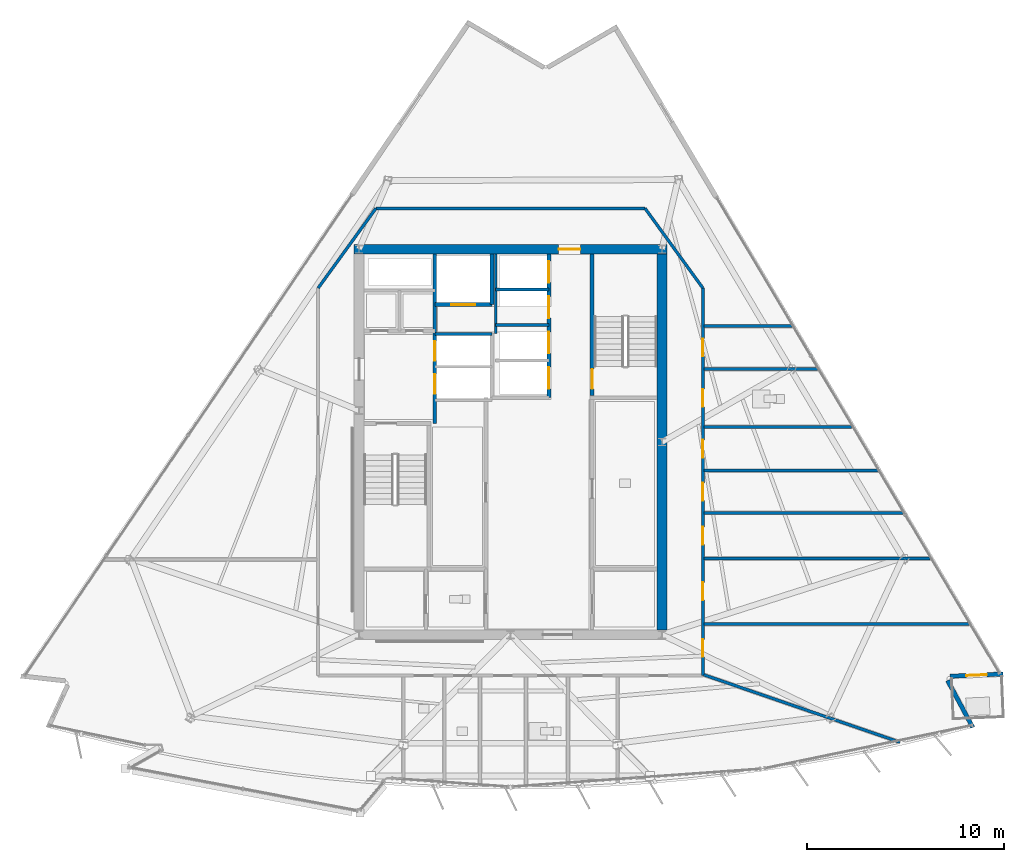
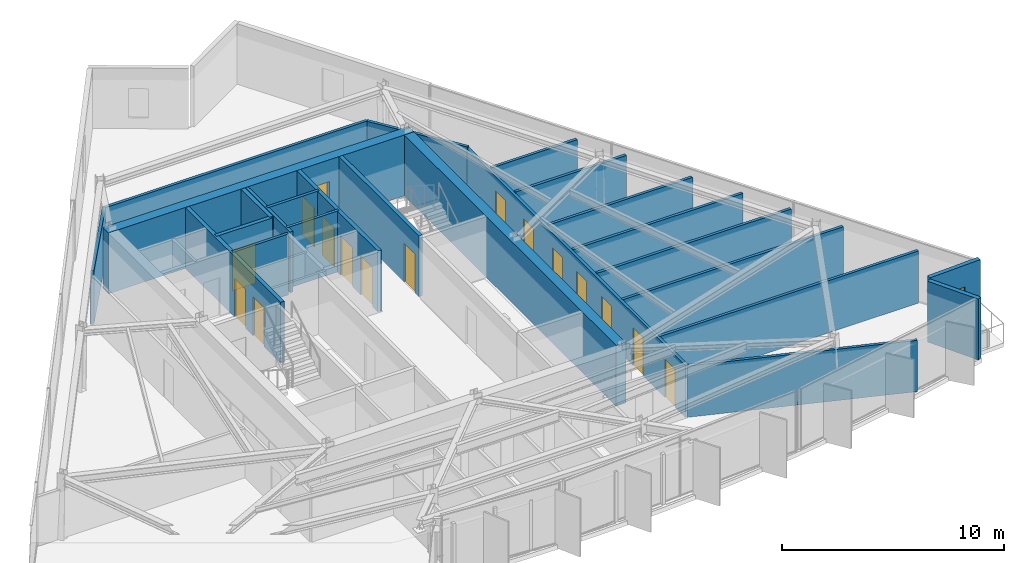
# One storey, part 8 of 14: 25 walls, 17 doors, 17 openings.
"""IFC4 building model written with IfcOpenShell, lengths in metres."""

from ifc_helpers import new_model, si_unit, direction, frame, frame_2d, origin, place, context, subcontext, project, spatial, rectangle, extrude, material, layer, layer_set, type_object, element, fill, save


model = new_model("IFC4")

# Units and contexts
model_context = context("Model", 3, precision=1e-05, world=origin(), true_north=direction((0.0, 1.0)))
body_context = subcontext(model_context, "Body", "Model", "MODEL_VIEW")
ifc_project = project(units=[si_unit("LENGTHUNIT", "METRE"), si_unit("AREAUNIT", "SQUARE_METRE"), si_unit("VOLUMEUNIT", "CUBIC_METRE"), si_unit("PLANEANGLEUNIT", "RADIAN"), si_unit("MASSUNIT", "GRAM", prefix="KILO")], contexts=[model_context])

# Site, building, storey
site_placement = place(None, origin())
site = spatial("IfcSite", under=ifc_project, at=site_placement, CompositionType="ELEMENT")
building_placement = place(site_placement, origin())
building = spatial("IfcBuilding", under=site, at=building_placement, Name="Savorim Split Tower", CompositionType="ELEMENT")
storey_placement = place(building_placement, frame((0.0, 0.0, 230.699951171875)))
storey = spatial("IfcBuildingStorey", under=building, at=storey_placement, Name="L61", CompositionType="ELEMENT", Elevation=230.699951171875)

# Wall, opening, door
ifc_material_1 = material(Name="Concrete C60/75", Category="concrete")
ifc_layer_1 = layer(ifc_material_1, 0.5)
ifc_layer_set_1 = layer_set([ifc_layer_1], Name="WAL-COR-SH500")
wall_type_1 = type_object("IfcWallType", Name="WAL-COR-SH500", PredefinedType="SHEAR", material=ifc_layer_set_1)
wall_1_placement = place(storey_placement, frame((7.949951171875, 10.199951171875, 0.0), z_axis=(0.0, 0.0, 1.0), x_axis=(-1.0, 0.0, 0.0)))
wall_1 = element("IfcWall", 1, at=wall_1_placement, inside=storey, type_object=wall_type_1, Name="L61 Offset Core North Shear Wall", PredefinedType="SHEAR", context=body_context, shape_type="SweptSolid", body=[
    extrude(rectangle(XDim=15.89990234375, YDim=0.5, at=frame_2d((7.949951171875, 0.0))), origin(), (0.0, 0.0, 1.0), 3.35009765625),
])
opening_1_placement = place(wall_1_placement, frame((4.39990234375, 0.0, 0.0)))
opening_1 = element("IfcOpeningElement", 2, at=opening_1_placement, cuts=wall_1, Name="Opening DI-03", PredefinedType="OPENING", context=body_context, shape_type="SweptSolid", body=[
    extrude(rectangle(XDim=1.10009765625, YDim=2.14990234375, at=frame_2d((0.550048828125, 1.074951171875))), frame((0.0, 0.260009765625, 0.0), z_axis=(0.0, -1.0, 0.0), x_axis=(1.0, 0.0, 0.0)), (0.0, 0.0, 1.0), 0.52001953125),
])
ifc_material_2 = material(Name="Timber Fire Door Leaf", Category="wood")
door_type_1 = type_object("IfcDoorType", Name="DOR-FIR-1100", OperationType="NOTDEFINED", PredefinedType="DOOR", material=ifc_material_2)
door_1_placement = place(opening_1_placement, origin())
door_1 = element("IfcDoor", 3, at=door_1_placement, inside=storey, type_object=door_type_1, Name="DOR-L61-COR-NLOB - L61 North Corridor Lobby Fire Door", OperationType="SINGLE_SWING_RIGHT", OverallHeight=2.14990234375, OverallWidth=1.10009765625, PredefinedType="DOOR", context=body_context, shape_type="SweptSolid", body=[
    extrude(rectangle(XDim=1.10009765625, YDim=2.14990234375, at=frame_2d((0.550048828125, 1.074951171875))), frame((0.0, 0.02490234375, 0.0), z_axis=(0.0, -1.0, 0.0), x_axis=(1.0, 0.0, 0.0)), (0.0, 0.0, 1.0), 0.050048828125),
])
fill(opening_1, door_1)

# Walls
wall_2_placement = place(storey_placement, frame((7.699951171875, 9.949951171875, 0.0), z_axis=(0.0, 0.0, 1.0), x_axis=(0.0, -1.0, 0.0)))
element("IfcWall", 4, at=wall_2_placement, inside=storey, type_object=wall_type_1, Name="L61 Offset Core East Shear Wall", PredefinedType="SHEAR", context=body_context, shape_type="SweptSolid", body=[
    extrude(rectangle(XDim=19.099853515625, YDim=0.5, at=frame_2d((9.5498046875, 0.0))), origin(), (0.0, 0.0, 1.0), 3.35009765625),
])
ifc_material_3 = material(Name="Precast concrete C40/50", Category="concrete")
ifc_layer_2 = layer(ifc_material_3, 0.219970703125)
ifc_layer_set_2 = layer_set([ifc_layer_2], Name="WAL-EXT-CRN220")
wall_type_2 = type_object("IfcWallType", Name="WAL-EXT-CRN220", PredefinedType="SOLIDWALL", material=ifc_layer_set_2)
wall_3_placement = place(storey_placement, frame((22.22412109375, -11.72705078125, 0.0), z_axis=(0.0, 0.0, 1.0), x_axis=(0.47278184311, -0.881179509989, 0.0)))
element("IfcWall", 5, at=wall_3_placement, inside=storey, type_object=wall_type_2, Name="L61 Notched Corner Facade Wall SE1", PredefinedType="SOLIDWALL", context=body_context, shape_type="SweptSolid", body=[
    extrude(rectangle(XDim=2.70751953125, YDim=0.219970703125, at=frame_2d((1.353759765625, 0.0))), origin(), (0.0, 0.0, 1.0), 3.35009765625),
])

# Wall, opening, door
wall_4_placement = place(storey_placement, frame((25.048095703125, -11.3984375, 0.0), z_axis=(0.0, 0.0, 1.0), x_axis=(-0.999095922254, -0.042512799655, 0.0)))
wall_4 = element("IfcWall", 6, at=wall_4_placement, inside=storey, type_object=wall_type_2, Name="L61 Notched Corner Facade Wall SE", PredefinedType="SOLIDWALL", context=body_context, shape_type="SweptSolid", body=[
    extrude(rectangle(XDim=2.704833984375, YDim=0.219970703125, at=frame_2d((1.3525390625, 0.0))), origin(), (0.0, 0.0, 1.0), 3.35009765625),
])
opening_2_placement = place(wall_4_placement, frame((0.827392578125, 0.0, 0.0)))
opening_2 = element("IfcOpeningElement", 7, at=opening_2_placement, cuts=wall_4, Name="Opening DB-01", PredefinedType="OPENING", context=body_context, shape_type="SweptSolid", body=[
    extrude(rectangle(XDim=1.050048828125, YDim=2.14990234375, at=frame_2d((0.52490234375, 1.074951171875))), frame((0.0, 0.119873046875, 0.0), z_axis=(0.0, -1.0, 0.0), x_axis=(1.0, 0.0, 0.0)), (0.0, 0.0, 1.0), 0.239990234375),
])
ifc_material_4 = material(Name="Charcoal Anodised Aluminium", Category="aluminium")
door_type_2 = type_object("IfcDoorType", Name="DOR-BAL-1050", OperationType="NOTDEFINED", PredefinedType="DOOR", material=ifc_material_4)
door_2_placement = place(opening_2_placement, origin())
door_2 = element("IfcDoor", 8, at=door_2_placement, inside=storey, type_object=door_type_2, Name="DOR-L61-TBAL-SE - L61 Planted Tree Balcony Door SE", OperationType="SINGLE_SWING_RIGHT", OverallHeight=2.14990234375, OverallWidth=1.050048828125, PredefinedType="DOOR", context=body_context, shape_type="SweptSolid", body=[
    extrude(rectangle(XDim=1.050048828125, YDim=2.14990234375, at=frame_2d((0.52490234375, 1.074951171875))), frame((0.0, 0.02490234375, 0.0), z_axis=(0.0, -1.0, 0.0), x_axis=(1.0, 0.0, 0.0)), (0.0, 0.0, 1.0), 0.050048828125),
])
fill(opening_2, door_2)

# Wall, openings, doors
ifc_material_5 = material(Name="Concrete C50/60", Category="concrete")
ifc_layer_3 = layer(ifc_material_5, 0.199951171875)
ifc_layer_set_3 = layer_set([ifc_layer_3], Name="WAL-INT-RC200")
wall_type_3 = type_object("IfcWallType", Name="WAL-INT-RC200", PredefinedType="SOLIDWALL", material=ifc_layer_set_3)
wall_5_placement = place(storey_placement, frame((-3.85009765625, 1.35009765625, 0.0), z_axis=(0.0, 0.0, 1.0), x_axis=(0.0, 1.0, 0.0)))
wall_5 = element("IfcWall", 9, at=wall_5_placement, inside=storey, type_object=wall_type_3, Name="L61 Partition W-L61-CR03", PredefinedType="SOLIDWALL", context=body_context, shape_type="SweptSolid", body=[
    extrude(rectangle(XDim=8.594970703125, YDim=0.199951171875, at=frame_2d((4.29736328125, 0.0))), origin(), (0.0, 0.0, 1.0), 3.35009765625),
])
opening_3_placement = place(wall_5_placement, frame((1.5, 0.0, 0.0)))
opening_3 = element("IfcOpeningElement", 10, at=opening_3_placement, cuts=wall_5, Name="Opening LD-FFL", PredefinedType="OPENING", context=body_context, shape_type="SweptSolid", body=[
    extrude(rectangle(XDim=1.0, YDim=2.14990234375, at=frame_2d((0.5, 1.074951171875))), frame((0.0, 0.10986328125, 0.0), z_axis=(0.0, -1.0, 0.0), x_axis=(1.0, 0.0, 0.0)), (0.0, 0.0, 1.0), 0.219970703125),
])
opening_4_placement = place(wall_5_placement, frame((3.179931640625, 0.0, 0.0)))
opening_4 = element("IfcOpeningElement", 11, at=opening_4_placement, cuts=wall_5, Name="Opening LD-FFL", PredefinedType="OPENING", context=body_context, shape_type="SweptSolid", body=[
    extrude(rectangle(XDim=1.0, YDim=2.14990234375, at=frame_2d((0.5, 1.074951171875))), frame((0.0, 0.10986328125, 0.0), z_axis=(0.0, -1.0, 0.0), x_axis=(1.0, 0.0, 0.0)), (0.0, 0.0, 1.0), 0.219970703125),
])
door_type_3 = type_object("IfcDoorType", Name="DOR-SLD-LD1000", OperationType="NOTDEFINED", PredefinedType="DOOR", material=ifc_material_4)
door_3_placement = place(opening_3_placement, origin())
door_3 = element("IfcDoor", 12, at=door_3_placement, inside=storey, type_object=door_type_3, Name="DR-L61-LD-FFL1 - L61 Firefighting Lift FFL-1 Sliding Landing Door", OperationType="DOUBLE_DOOR_SLIDING", OverallHeight=2.14990234375, OverallWidth=1.0, PredefinedType="DOOR", context=body_context, shape_type="SweptSolid", body=[
    extrude(rectangle(XDim=1.0, YDim=2.14990234375, at=frame_2d((0.5, 1.074951171875))), frame((0.0, 0.02490234375, 0.0), z_axis=(0.0, -1.0, 0.0), x_axis=(1.0, 0.0, 0.0)), (0.0, 0.0, 1.0), 0.050048828125),
])
fill(opening_3, door_3)
door_4_placement = place(opening_4_placement, origin())
door_4 = element("IfcDoor", 13, at=door_4_placement, inside=storey, type_object=door_type_3, Name="DR-L61-LD-FFL2 - L61 Firefighting Lift FFL-2 Sliding Landing Door", OperationType="DOUBLE_DOOR_SLIDING", OverallHeight=2.14990234375, OverallWidth=1.0, PredefinedType="DOOR", context=body_context, shape_type="SweptSolid", body=[
    extrude(rectangle(XDim=1.0, YDim=2.14990234375, at=frame_2d((0.5, 1.074951171875))), frame((0.0, 0.02490234375, 0.0), z_axis=(0.0, -1.0, 0.0), x_axis=(1.0, 0.0, 0.0)), (0.0, 0.0, 1.0), 0.050048828125),
])
fill(opening_4, door_4)

# Wall, opening, door
wall_6_placement = place(storey_placement, frame((4.14990234375, 2.75, 0.0), z_axis=(0.0, 0.0, 1.0), x_axis=(0.0, 1.0, 0.0)))
wall_6 = element("IfcWall", 14, at=wall_6_placement, inside=storey, type_object=wall_type_3, Name="L61 Structural Shaft Wall W-L61-CR07", PredefinedType="SOLIDWALL", context=body_context, shape_type="SweptSolid", body=[
    extrude(rectangle(XDim=7.199951171875, YDim=0.199951171875, at=frame_2d((3.60009765625, 0.0))), origin(), (0.0, 0.0, 1.0), 3.35009765625),
])
opening_5_placement = place(wall_6_placement, frame((0.35009765625, 0.0, 0.0)))
opening_5 = element("IfcOpeningElement", 15, at=opening_5_placement, cuts=wall_6, Name="Opening DI-04", PredefinedType="OPENING", context=body_context, shape_type="SweptSolid", body=[
    extrude(rectangle(XDim=1.0, YDim=2.14990234375, at=frame_2d((0.5, 1.074951171875))), frame((0.0, 0.10986328125, 0.0), z_axis=(0.0, -1.0, 0.0), x_axis=(1.0, 0.0, 0.0)), (0.0, 0.0, 1.0), 0.219970703125),
])
door_type_4 = type_object("IfcDoorType", Name="DOR-FIR-1000", OperationType="NOTDEFINED", PredefinedType="DOOR", material=ifc_material_2)
door_5_placement = place(opening_5_placement, origin())
door_5 = element("IfcDoor", 16, at=door_5_placement, inside=storey, type_object=door_type_4, Name="DR-L61-ST2 - L61 Stair ST-2 Enclosure Door", OperationType="SINGLE_SWING_RIGHT", OverallHeight=2.14990234375, OverallWidth=1.0, PredefinedType="DOOR", context=body_context, shape_type="SweptSolid", body=[
    extrude(rectangle(XDim=1.0, YDim=2.14990234375, at=frame_2d((0.5, 1.074951171875))), frame((0.0, 0.02490234375, 0.0), z_axis=(0.0, -1.0, 0.0), x_axis=(1.0, 0.0, 0.0)), (0.0, 0.0, 1.0), 0.050048828125),
])
fill(opening_5, door_5)

wall_7_placement = place(storey_placement, frame((-3.85009765625, 7.3798828125, 0.0), z_axis=(0.0, 0.0, 1.0), x_axis=(1.0, 0.0, 0.0)))
wall_7 = element("IfcWall", 17, at=wall_7_placement, inside=storey, type_object=wall_type_3, Name="L61 Partition W-L61-SVLS", PredefinedType="SOLIDWALL", context=body_context, shape_type="SweptSolid", body=[
    extrude(rectangle(XDim=2.900146484375, YDim=0.199951171875, at=frame_2d((1.4501953125, 0.0))), origin(), (0.0, 0.0, 1.0), 3.35009765625),
])
opening_6_placement = place(wall_7_placement, frame((0.85009765625, 0.0, 0.0)))
opening_6 = element("IfcOpeningElement", 18, at=opening_6_placement, cuts=wall_7, Name="Opening LD-SV", PredefinedType="OPENING", context=body_context, shape_type="SweptSolid", body=[
    extrude(rectangle(XDim=1.199951171875, YDim=2.199951171875, at=frame_2d((0.60009765625, 1.10009765625))), frame((0.0, 0.10986328125, 0.0), z_axis=(0.0, -1.0, 0.0), x_axis=(1.0, 0.0, 0.0)), (0.0, 0.0, 1.0), 0.219970703125),
])
door_type_5 = type_object("IfcDoorType", Name="DOR-SLD-SV1200", OperationType="NOTDEFINED", PredefinedType="DOOR", material=ifc_material_4)
door_6_placement = place(opening_6_placement, origin())
door_6 = element("IfcDoor", 19, at=door_6_placement, inside=storey, type_object=door_type_5, Name="DR-L61-LD-SVL1 - L61 Service Lift SVL-1 Sliding Landing Door", OperationType="DOUBLE_DOOR_SLIDING", OverallHeight=2.199951171875, OverallWidth=1.199951171875, PredefinedType="DOOR", context=body_context, shape_type="SweptSolid", body=[
    extrude(rectangle(XDim=1.199951171875, YDim=2.199951171875, at=frame_2d((0.60009765625, 1.10009765625))), frame((0.0, 0.02490234375, 0.0), z_axis=(0.0, -1.0, 0.0), x_axis=(1.0, 0.0, 0.0)), (0.0, 0.0, 1.0), 0.050048828125),
])
fill(opening_6, door_6)

# Wall
wall_8_placement = place(storey_placement, frame((-0.949951171875, 7.3798828125, 0.0), z_axis=(0.0, 0.0, 1.0), x_axis=(0.0, 1.0, 0.0)))
element("IfcWall", 20, at=wall_8_placement, inside=storey, type_object=wall_type_3, Name="L61 Partition W-L61-SVLE", PredefinedType="SOLIDWALL", context=body_context, shape_type="SweptSolid", body=[
    extrude(rectangle(XDim=2.565185546875, YDim=0.199951171875, at=frame_2d((1.28271484375, 0.0))), origin(), (0.0, 0.0, 1.0), 3.35009765625),
])

# Wall, openings, doors
wall_9_placement = place(storey_placement, frame((1.949951171875, 2.64990234375, 0.0), z_axis=(0.0, 0.0, 1.0), x_axis=(0.0, 1.0, 0.0)))
wall_9 = element("IfcWall", 21, at=wall_9_placement, inside=storey, type_object=wall_type_3, Name="L61 Partition W-L61-B3FRONT", PredefinedType="SOLIDWALL", context=body_context, shape_type="SweptSolid", body=[
    extrude(rectangle(XDim=7.295166015625, YDim=0.199951171875, at=frame_2d((3.6474609375, 0.0))), origin(), (0.0, 0.0, 1.0), 3.35009765625),
])
opening_7_placement = place(wall_9_placement, frame((0.449951171875, 0.0, 0.0)))
opening_7 = element("IfcOpeningElement", 22, at=opening_7_placement, cuts=wall_9, Name="Opening LD-03", PredefinedType="OPENING", context=body_context, shape_type="SweptSolid", body=[
    extrude(rectangle(XDim=1.10009765625, YDim=2.14990234375, at=frame_2d((0.550048828125, 1.074951171875))), frame((0.0, 0.10986328125, 0.0), z_axis=(0.0, -1.0, 0.0), x_axis=(1.0, 0.0, 0.0)), (0.0, 0.0, 1.0), 0.219970703125),
])
opening_8_placement = place(wall_9_placement, frame((2.25, 0.0, 0.0)))
opening_8 = element("IfcOpeningElement", 23, at=opening_8_placement, cuts=wall_9, Name="Opening LD-03", PredefinedType="OPENING", context=body_context, shape_type="SweptSolid", body=[
    extrude(rectangle(XDim=1.10009765625, YDim=2.14990234375, at=frame_2d((0.550048828125, 1.074951171875))), frame((0.0, 0.10986328125, 0.0), z_axis=(0.0, -1.0, 0.0), x_axis=(1.0, 0.0, 0.0)), (0.0, 0.0, 1.0), 0.219970703125),
])
opening_9_placement = place(wall_9_placement, frame((4.050048828125, 0.0, 0.0)))
opening_9 = element("IfcOpeningElement", 24, at=opening_9_placement, cuts=wall_9, Name="Opening LD-03", PredefinedType="OPENING", context=body_context, shape_type="SweptSolid", body=[
    extrude(rectangle(XDim=1.10009765625, YDim=2.14990234375, at=frame_2d((0.550048828125, 1.074951171875))), frame((0.0, 0.10986328125, 0.0), z_axis=(0.0, -1.0, 0.0), x_axis=(1.0, 0.0, 0.0)), (0.0, 0.0, 1.0), 0.219970703125),
])
opening_10_placement = place(wall_9_placement, frame((5.85009765625, 0.0, 0.0)))
opening_10 = element("IfcOpeningElement", 25, at=opening_10_placement, cuts=wall_9, Name="Opening LD-03", PredefinedType="OPENING", context=body_context, shape_type="SweptSolid", body=[
    extrude(rectangle(XDim=1.10009765625, YDim=2.14990234375, at=frame_2d((0.550048828125, 1.074951171875))), frame((0.0, 0.10986328125, 0.0), z_axis=(0.0, -1.0, 0.0), x_axis=(1.0, 0.0, 0.0)), (0.0, 0.0, 1.0), 0.219970703125),
])
door_type_6 = type_object("IfcDoorType", Name="DOR-SLD-LDH1100", OperationType="NOTDEFINED", PredefinedType="DOOR", material=ifc_material_4)
door_7_placement = place(opening_7_placement, origin())
door_7 = element("IfcDoor", 26, at=door_7_placement, inside=storey, type_object=door_type_6, Name="DR-L61-LD-PLH1 - L61 Lift PL-H1 Sliding Landing Door", OperationType="DOUBLE_DOOR_SLIDING", OverallHeight=2.14990234375, OverallWidth=1.10009765625, PredefinedType="DOOR", context=body_context, shape_type="SweptSolid", body=[
    extrude(rectangle(XDim=1.10009765625, YDim=2.14990234375, at=frame_2d((0.550048828125, 1.074951171875))), frame((0.0, 0.02490234375, 0.0), z_axis=(0.0, -1.0, 0.0), x_axis=(1.0, 0.0, 0.0)), (0.0, 0.0, 1.0), 0.050048828125),
])
fill(opening_7, door_7)
door_8_placement = place(opening_8_placement, origin())
door_8 = element("IfcDoor", 27, at=door_8_placement, inside=storey, type_object=door_type_6, Name="DR-L61-LD-PLH2 - L61 Lift PL-H2 Sliding Landing Door", OperationType="DOUBLE_DOOR_SLIDING", OverallHeight=2.14990234375, OverallWidth=1.10009765625, PredefinedType="DOOR", context=body_context, shape_type="SweptSolid", body=[
    extrude(rectangle(XDim=1.10009765625, YDim=2.14990234375, at=frame_2d((0.550048828125, 1.074951171875))), frame((0.0, 0.02490234375, 0.0), z_axis=(0.0, -1.0, 0.0), x_axis=(1.0, 0.0, 0.0)), (0.0, 0.0, 1.0), 0.050048828125),
])
fill(opening_8, door_8)
door_9_placement = place(opening_9_placement, origin())
door_9 = element("IfcDoor", 28, at=door_9_placement, inside=storey, type_object=door_type_6, Name="DR-L61-LD-PLH3 - L61 Lift PL-H3 Sliding Landing Door", OperationType="DOUBLE_DOOR_SLIDING", OverallHeight=2.14990234375, OverallWidth=1.10009765625, PredefinedType="DOOR", context=body_context, shape_type="SweptSolid", body=[
    extrude(rectangle(XDim=1.10009765625, YDim=2.14990234375, at=frame_2d((0.550048828125, 1.074951171875))), frame((0.0, 0.02490234375, 0.0), z_axis=(0.0, -1.0, 0.0), x_axis=(1.0, 0.0, 0.0)), (0.0, 0.0, 1.0), 0.050048828125),
])
fill(opening_9, door_9)
door_10_placement = place(opening_10_placement, origin())
door_10 = element("IfcDoor", 29, at=door_10_placement, inside=storey, type_object=door_type_6, Name="DR-L61-LD-PLH4 - L61 Lift PL-H4 Sliding Landing Door", OperationType="DOUBLE_DOOR_SLIDING", OverallHeight=2.14990234375, OverallWidth=1.10009765625, PredefinedType="DOOR", context=body_context, shape_type="SweptSolid", body=[
    extrude(rectangle(XDim=1.10009765625, YDim=2.14990234375, at=frame_2d((0.550048828125, 1.074951171875))), frame((0.0, 0.02490234375, 0.0), z_axis=(0.0, -1.0, 0.0), x_axis=(1.0, 0.0, 0.0)), (0.0, 0.0, 1.0), 0.050048828125),
])
fill(opening_10, door_10)

# Walls
ifc_material_6 = material(Name="Acoustic Gypsum Partition Board")
ifc_layer_4 = layer(ifc_material_6, 0.14990234375)
ifc_layer_set_4 = layer_set([ifc_layer_4], Name="WAL-PAR-150")
wall_type_4 = type_object("IfcWallType", Name="WAL-PAR-150", PredefinedType="PARTITIONING", material=ifc_layer_set_4)
wall_10_placement = place(storey_placement, frame((-3.85009765625, 5.89990234375, 0.0), z_axis=(0.0, 0.0, 1.0), x_axis=(1.0, 0.0, 0.0)))
element("IfcWall", 30, at=wall_10_placement, inside=storey, type_object=wall_type_4, Name="L61 Partition W-L61-FFLD2", PredefinedType="PARTITIONING", context=body_context, shape_type="SweptSolid", body=[
    extrude(rectangle(XDim=2.900146484375, YDim=0.14990234375, at=frame_2d((1.4501953125, 0.0))), origin(), (0.0, 0.0, 1.0), 3.35009765625),
])
wall_11_placement = place(storey_placement, frame((-0.75, 5.919921875, 0.0), z_axis=(0.0, 0.0, 1.0), x_axis=(0.0, 1.0, 0.0)))
element("IfcWall", 31, at=wall_11_placement, inside=storey, type_object=wall_type_4, Name="L61 Partition W-L61-B3WEST", PredefinedType="PARTITIONING", context=body_context, shape_type="SweptSolid", body=[
    extrude(rectangle(XDim=4.025146484375, YDim=0.14990234375, at=frame_2d((2.0126953125, 0.0))), origin(), (0.0, 0.0, 1.0), 3.35009765625),
])
for number, where, z_axis, x_axis, name in (
    (32, (-0.75, 6.35009765625, 0.0), (0.0, 0.0, 1.0), (1.0, 0.0, 0.0), "L61 Partition W-L61-B3DIV2"),
    (33, (-0.75, 8.14990234375, 0.0), (0.0, 0.0, 1.0), (1.0, 0.0, 0.0), "L61 Partition W-L61-B3DIV3"),
):
    element("IfcWall", number, at=place(storey_placement, frame(where, z_axis=z_axis, x_axis=x_axis)), inside=storey, type_object=wall_type_4, Name=name, PredefinedType="PARTITIONING", context=body_context, shape_type="SweptSolid", body=[
        extrude(rectangle(XDim=2.699951171875, YDim=0.14990234375, at=frame_2d((1.35009765625, 0.0))), origin(), (0.0, 0.0, 1.0), 3.35009765625),
    ])
wall_12_placement = place(storey_placement, frame((-9.780029296875, 8.225830078125, 0.0), z_axis=(0.0, 0.0, 1.0), x_axis=(0.586956386413, 0.809618552436, 0.0)))
element("IfcWall", 34, at=wall_12_placement, inside=storey, type_object=wall_type_4, Name="L61 Partition W-L61-COR-02", PredefinedType="PARTITIONING", context=body_context, shape_type="SweptSolid", body=[
    extrude(rectangle(XDim=5.007568359375, YDim=0.14990234375, at=frame_2d((2.50390625, 0.0))), origin(), (0.0, 0.0, 1.0), 2.97509765625),
])
wall_13_placement = place(storey_placement, frame((-6.8408203125, 12.280029296875, 0.0), z_axis=(0.0, 0.0, 1.0), x_axis=(1.0, 0.0, 0.0)))
element("IfcWall", 35, at=wall_13_placement, inside=storey, type_object=wall_type_4, Name="L61 Partition W-L61-COR-03", PredefinedType="PARTITIONING", context=body_context, shape_type="SweptSolid", body=[
    extrude(rectangle(XDim=13.681640625, YDim=0.14990234375, at=frame_2d((6.8408203125, 0.0))), origin(), (0.0, 0.0, 1.0), 2.97509765625),
])
wall_14_placement = place(storey_placement, frame((6.8408203125, 12.280029296875, 0.0), z_axis=(0.0, 0.0, 1.0), x_axis=(0.586956386413, -0.809618552436, 0.0)))
element("IfcWall", 36, at=wall_14_placement, inside=storey, type_object=wall_type_4, Name="L61 Partition W-L61-COR-04", PredefinedType="PARTITIONING", context=body_context, shape_type="SweptSolid", body=[
    extrude(rectangle(XDim=5.007568359375, YDim=0.14990234375, at=frame_2d((2.50390625, 0.0))), origin(), (0.0, 0.0, 1.0), 2.965087890625),
])

# Wall, openings, doors
wall_15_placement = place(storey_placement, frame((9.780029296875, 8.225830078125, 0.0), z_axis=(0.0, 0.0, 1.0), x_axis=(0.0, -1.0, 0.0)))
wall_15 = element("IfcWall", 37, at=wall_15_placement, inside=storey, type_object=wall_type_4, Name="L61 Partition W-L61-COR-05", PredefinedType="PARTITIONING", context=body_context, shape_type="SweptSolid", body=[
    extrude(rectangle(XDim=19.705810546875, YDim=0.14990234375, at=frame_2d((9.85302734375, 0.0))), origin(), (0.0, 0.0, 1.0), 2.875),
])
opening_11_placement = place(wall_15_placement, frame((17.8583984375, 0.0, 0.0)))
opening_11 = element("IfcOpeningElement", 38, at=opening_11_placement, cuts=wall_15, Name="Opening DI-06", PredefinedType="OPENING", context=body_context, shape_type="SweptSolid", body=[
    extrude(rectangle(XDim=0.89990234375, YDim=2.10009765625, at=frame_2d((0.449951171875, 1.050048828125))), frame((0.0, 0.0849609375, 0.0), z_axis=(0.0, -1.0, 0.0), x_axis=(1.0, 0.0, 0.0)), (0.0, 0.0, 1.0), 0.169921875),
])
opening_12_placement = place(wall_15_placement, frame((14.969970703125, 0.0, 0.0)))
opening_12 = element("IfcOpeningElement", 39, at=opening_12_placement, cuts=wall_15, Name="Opening DI-06", PredefinedType="OPENING", context=body_context, shape_type="SweptSolid", body=[
    extrude(rectangle(XDim=0.89990234375, YDim=2.10009765625, at=frame_2d((0.449951171875, 1.050048828125))), frame((0.0, 0.0849609375, 0.0), z_axis=(0.0, -1.0, 0.0), x_axis=(1.0, 0.0, 0.0)), (0.0, 0.0, 1.0), 0.169921875),
])
opening_13_placement = place(wall_15_placement, frame((12.14111328125, 0.0, 0.0)))
opening_13 = element("IfcOpeningElement", 40, at=opening_13_placement, cuts=wall_15, Name="Opening DI-06", PredefinedType="OPENING", context=body_context, shape_type="SweptSolid", body=[
    extrude(rectangle(XDim=0.89990234375, YDim=2.10009765625, at=frame_2d((0.449951171875, 1.050048828125))), frame((0.0, 0.0849609375, 0.0), z_axis=(0.0, -1.0, 0.0), x_axis=(1.0, 0.0, 0.0)), (0.0, 0.0, 1.0), 0.169921875),
])
opening_14_placement = place(wall_15_placement, frame((9.9091796875, 0.0, 0.0)))
opening_14 = element("IfcOpeningElement", 41, at=opening_14_placement, cuts=wall_15, Name="Opening DI-06", PredefinedType="OPENING", context=body_context, shape_type="SweptSolid", body=[
    extrude(rectangle(XDim=0.89990234375, YDim=2.10009765625, at=frame_2d((0.449951171875, 1.050048828125))), frame((0.0, 0.0849609375, 0.0), z_axis=(0.0, -1.0, 0.0), x_axis=(1.0, 0.0, 0.0)), (0.0, 0.0, 1.0), 0.169921875),
])
opening_15_placement = place(wall_15_placement, frame((7.721435546875, 0.0, 0.0)))
opening_15 = element("IfcOpeningElement", 42, at=opening_15_placement, cuts=wall_15, Name="Opening DI-06", PredefinedType="OPENING", context=body_context, shape_type="SweptSolid", body=[
    extrude(rectangle(XDim=0.89990234375, YDim=2.10009765625, at=frame_2d((0.449951171875, 1.050048828125))), frame((0.0, 0.0849609375, 0.0), z_axis=(0.0, -1.0, 0.0), x_axis=(1.0, 0.0, 0.0)), (0.0, 0.0, 1.0), 0.169921875),
])
opening_16_placement = place(wall_15_placement, frame((5.136474609375, 0.0, 0.0)))
opening_16 = element("IfcOpeningElement", 43, at=opening_16_placement, cuts=wall_15, Name="Opening DI-11", PredefinedType="OPENING", context=body_context, shape_type="SweptSolid", body=[
    extrude(rectangle(XDim=0.89990234375, YDim=2.10009765625, at=frame_2d((0.449951171875, 1.050048828125))), frame((0.0, 0.0849609375, 0.0), z_axis=(0.0, -1.0, 0.0), x_axis=(1.0, 0.0, 0.0)), (0.0, 0.0, 1.0), 0.169921875),
])
opening_17_placement = place(wall_15_placement, frame((2.576904296875, 0.0, 0.0)))
opening_17 = element("IfcOpeningElement", 44, at=opening_17_placement, cuts=wall_15, Name="Opening DI-06", PredefinedType="OPENING", context=body_context, shape_type="SweptSolid", body=[
    extrude(rectangle(XDim=0.89990234375, YDim=2.10009765625, at=frame_2d((0.449951171875, 1.050048828125))), frame((0.0, 0.0849609375, 0.0), z_axis=(0.0, -1.0, 0.0), x_axis=(1.0, 0.0, 0.0)), (0.0, 0.0, 1.0), 0.169921875),
])
door_type_7 = type_object("IfcDoorType", Name="DOR-FIR-900", OperationType="NOTDEFINED", PredefinedType="DOOR", material=ifc_material_2)
door_11_placement = place(opening_11_placement, origin())
door_11 = element("IfcDoor", 45, at=door_11_placement, inside=storey, type_object=door_type_7, Name="DR-L61-RM08 - L61 Maker Workshop Entry Door", OperationType="SINGLE_SWING_LEFT", OverallHeight=2.10009765625, OverallWidth=0.89990234375, PredefinedType="DOOR", context=body_context, shape_type="SweptSolid", body=[
    extrude(rectangle(XDim=0.89990234375, YDim=2.10009765625, at=frame_2d((0.449951171875, 1.050048828125))), frame((0.0, 0.02490234375, 0.0), z_axis=(0.0, -1.0, 0.0), x_axis=(1.0, 0.0, 0.0)), (0.0, 0.0, 1.0), 0.050048828125),
])
fill(opening_11, door_11)
door_12_placement = place(opening_12_placement, origin())
door_12 = element("IfcDoor", 46, at=door_12_placement, inside=storey, type_object=door_type_7, Name="DR-L61-RM09 - L61 Co-Living Bedroom Entry Door", OperationType="SINGLE_SWING_RIGHT", OverallHeight=2.10009765625, OverallWidth=0.89990234375, PredefinedType="DOOR", context=body_context, shape_type="SweptSolid", body=[
    extrude(rectangle(XDim=0.89990234375, YDim=2.10009765625, at=frame_2d((0.449951171875, 1.050048828125))), frame((0.0, 0.02490234375, 0.0), z_axis=(0.0, -1.0, 0.0), x_axis=(1.0, 0.0, 0.0)), (0.0, 0.0, 1.0), 0.050048828125),
])
fill(opening_12, door_12)
door_13_placement = place(opening_13_placement, origin())
door_13 = element("IfcDoor", 47, at=door_13_placement, inside=storey, type_object=door_type_7, Name="DR-L61-RM10 - L61 Quiet Study Room Entry Door", OperationType="SINGLE_SWING_LEFT", OverallHeight=2.10009765625, OverallWidth=0.89990234375, PredefinedType="DOOR", context=body_context, shape_type="SweptSolid", body=[
    extrude(rectangle(XDim=0.89990234375, YDim=2.10009765625, at=frame_2d((0.449951171875, 1.050048828125))), frame((0.0, 0.02490234375, 0.0), z_axis=(0.0, -1.0, 0.0), x_axis=(1.0, 0.0, 0.0)), (0.0, 0.0, 1.0), 0.050048828125),
])
fill(opening_13, door_13)
door_14_placement = place(opening_14_placement, origin())
door_14 = element("IfcDoor", 48, at=door_14_placement, inside=storey, type_object=door_type_7, Name="DR-L61-RM11 - L61 Quiet Study Room Entry Door", OperationType="SINGLE_SWING_RIGHT", OverallHeight=2.10009765625, OverallWidth=0.89990234375, PredefinedType="DOOR", context=body_context, shape_type="SweptSolid", body=[
    extrude(rectangle(XDim=0.89990234375, YDim=2.10009765625, at=frame_2d((0.449951171875, 1.050048828125))), frame((0.0, 0.02490234375, 0.0), z_axis=(0.0, -1.0, 0.0), x_axis=(1.0, 0.0, 0.0)), (0.0, 0.0, 1.0), 0.050048828125),
])
fill(opening_14, door_14)
door_15_placement = place(opening_15_placement, origin())
door_15 = element("IfcDoor", 49, at=door_15_placement, inside=storey, type_object=door_type_7, Name="DR-L61-RM12 - L61 Co-Living Bedroom Entry Door", OperationType="SINGLE_SWING_LEFT", OverallHeight=2.10009765625, OverallWidth=0.89990234375, PredefinedType="DOOR", context=body_context, shape_type="SweptSolid", body=[
    extrude(rectangle(XDim=0.89990234375, YDim=2.10009765625, at=frame_2d((0.449951171875, 1.050048828125))), frame((0.0, 0.02490234375, 0.0), z_axis=(0.0, -1.0, 0.0), x_axis=(1.0, 0.0, 0.0)), (0.0, 0.0, 1.0), 0.050048828125),
])
fill(opening_15, door_15)
door_16_placement = place(opening_17_placement, origin())
door_16 = element("IfcDoor", 50, at=door_16_placement, inside=storey, type_object=door_type_7, Name="DR-L61-RM14 - L61 Quiet Study Room Entry Door", OperationType="SINGLE_SWING_LEFT", OverallHeight=2.10009765625, OverallWidth=0.89990234375, PredefinedType="DOOR", context=body_context, shape_type="SweptSolid", body=[
    extrude(rectangle(XDim=0.89990234375, YDim=2.10009765625, at=frame_2d((0.449951171875, 1.050048828125))), frame((0.0, 0.02490234375, 0.0), z_axis=(0.0, -1.0, 0.0), x_axis=(1.0, 0.0, 0.0)), (0.0, 0.0, 1.0), 0.050048828125),
])
fill(opening_17, door_16)
ifc_material_7 = material(Name="Oak Veneer Acoustic Door")
door_type_8 = type_object("IfcDoorType", Name="DOR-WC-900", OperationType="NOTDEFINED", PredefinedType="DOOR", material=ifc_material_7)
door_17_placement = place(opening_16_placement, origin())
door_17 = element("IfcDoor", 51, at=door_17_placement, inside=storey, type_object=door_type_8, Name="DR-L61-RM13 - L61 Shared Bathroom Entry Door", OperationType="SINGLE_SWING_RIGHT", OverallHeight=2.10009765625, OverallWidth=0.89990234375, PredefinedType="DOOR", context=body_context, shape_type="SweptSolid", body=[
    extrude(rectangle(XDim=0.89990234375, YDim=2.10009765625, at=frame_2d((0.449951171875, 1.050048828125))), frame((0.0, 0.02490234375, 0.0), z_axis=(0.0, -1.0, 0.0), x_axis=(1.0, 0.0, 0.0)), (0.0, 0.0, 1.0), 0.050048828125),
])
fill(opening_16, door_17)

# Walls
wall_16_placement = place(storey_placement, frame((9.840087890625, -5.52490234375, 0.0), z_axis=(0.0, 0.0, 1.0), x_axis=(1.0, 0.0, 0.0)))
element("IfcWall", 52, at=wall_16_placement, inside=storey, type_object=wall_type_4, Name="L61 Partition W-L61-PRAD05", PredefinedType="PARTITIONING", context=body_context, shape_type="SweptSolid", body=[
    extrude(rectangle(XDim=11.492431640625, YDim=0.14990234375, at=frame_2d((5.74609375, 0.0))), origin(), (0.0, 0.0, 1.0), 2.875),
])
wall_17_placement = place(storey_placement, frame((9.840087890625, 4.108642578125, 0.0), z_axis=(0.0, 0.0, 1.0), x_axis=(1.0, 0.0, 0.0)))
element("IfcWall", 53, at=wall_17_placement, inside=storey, type_object=wall_type_4, Name="L61 Partition W-L61-PRAD06", PredefinedType="PARTITIONING", context=body_context, shape_type="SweptSolid", body=[
    extrude(rectangle(XDim=5.76416015625, YDim=0.14990234375, at=frame_2d((2.882080078125, 0.0))), origin(), (0.0, 0.0, 1.0), 2.965087890625),
])
wall_18_placement = place(storey_placement, frame((9.840087890625, -1.061279296875, 0.0), z_axis=(0.0, 0.0, 1.0), x_axis=(1.0, 0.0, 0.0)))
element("IfcWall", 54, at=wall_18_placement, inside=storey, type_object=wall_type_4, Name="L61 Partition W-L61-SUB02", PredefinedType="PARTITIONING", context=body_context, shape_type="SweptSolid", body=[
    extrude(rectangle(XDim=8.83837890625, YDim=0.14990234375, at=frame_2d((4.419189453125, 0.0))), origin(), (0.0, 0.0, 1.0), 2.925048828125),
])
wall_19_placement = place(storey_placement, frame((9.840087890625, -8.86328125, 0.0), z_axis=(0.0, 0.0, 1.0), x_axis=(1.0, 0.0, 0.0)))
element("IfcWall", 55, at=wall_19_placement, inside=storey, type_object=wall_type_4, Name="L61 Partition W-L61-SUB05", PredefinedType="PARTITIONING", context=body_context, shape_type="SweptSolid", body=[
    extrude(rectangle(XDim=13.4775390625, YDim=0.14990234375, at=frame_2d((6.73876953125, 0.0))), origin(), (0.0, 0.0, 1.0), 2.875),
])
wall_20_placement = place(storey_placement, frame((9.840087890625, -3.205322265625, 0.0), z_axis=(0.0, 0.0, 1.0), x_axis=(1.0, 0.0, 0.0)))
element("IfcWall", 56, at=wall_20_placement, inside=storey, type_object=wall_type_4, Name="L61 Partition W-L61-SUB06", PredefinedType="PARTITIONING", context=body_context, shape_type="SweptSolid", body=[
    extrude(rectangle(XDim=10.11328125, YDim=0.14990234375, at=frame_2d((5.056640625, 0.0))), origin(), (0.0, 0.0, 1.0), 2.925048828125),
])
wall_21_placement = place(storey_placement, frame((9.840087890625, 1.17041015625, 0.0), z_axis=(0.0, 0.0, 1.0), x_axis=(1.0, 0.0, 0.0)))
element("IfcWall", 57, at=wall_21_placement, inside=storey, type_object=wall_type_4, Name="L61 Partition W-L61-SUB07", PredefinedType="PARTITIONING", context=body_context, shape_type="SweptSolid", body=[
    extrude(rectangle(XDim=7.51123046875, YDim=0.14990234375, at=frame_2d((3.755615234375, 0.0))), origin(), (0.0, 0.0, 1.0), 2.925048828125),
])
wall_22_placement = place(storey_placement, frame((9.840087890625, 6.28955078125, 0.0), z_axis=(0.0, 0.0, 1.0), x_axis=(1.0, 0.0, 0.0)))
element("IfcWall", 58, at=wall_22_placement, inside=storey, type_object=wall_type_4, Name="L61 Partition W-L61-SUB08", PredefinedType="PARTITIONING", context=body_context, shape_type="SweptSolid", body=[
    extrude(rectangle(XDim=4.46728515625, YDim=0.14990234375, at=frame_2d((2.233642578125, 0.0))), origin(), (0.0, 0.0, 1.0), 2.965087890625),
])
wall_23_placement = place(storey_placement, frame((9.833740234375, -11.4404296875, 0.0), z_axis=(0.0, 0.0, 1.0), x_axis=(0.945727964629, -0.324959408108, 0.0)))
element("IfcWall", 59, at=wall_23_placement, inside=storey, type_object=wall_type_4, Name="L61 Partition W-L61-SUB10", PredefinedType="PARTITIONING", context=body_context, shape_type="SweptSolid", body=[
    extrude(rectangle(XDim=10.54443359375, YDim=0.14990234375, at=frame_2d((5.272216796875, 0.0))), origin(), (0.0, 0.0, 1.0), 2.824951171875),
])

save(model, "model.ifc")
